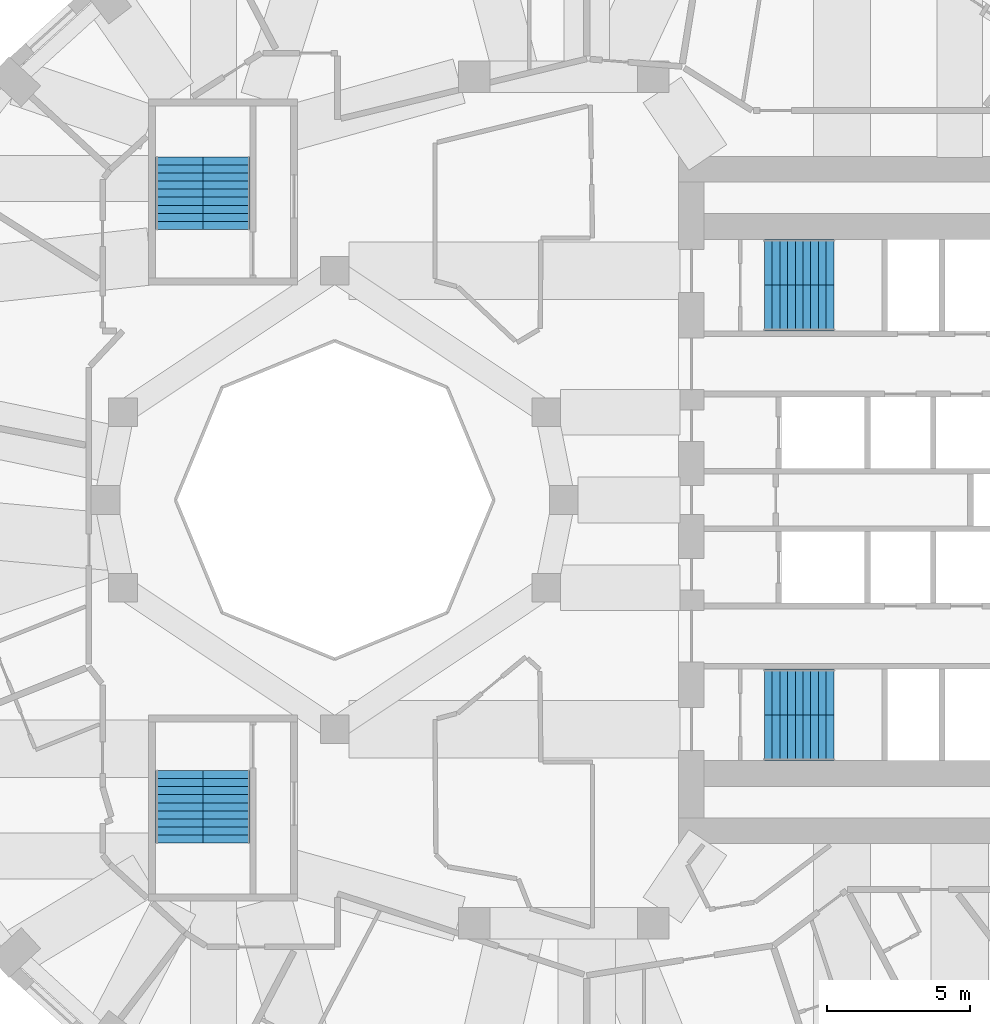
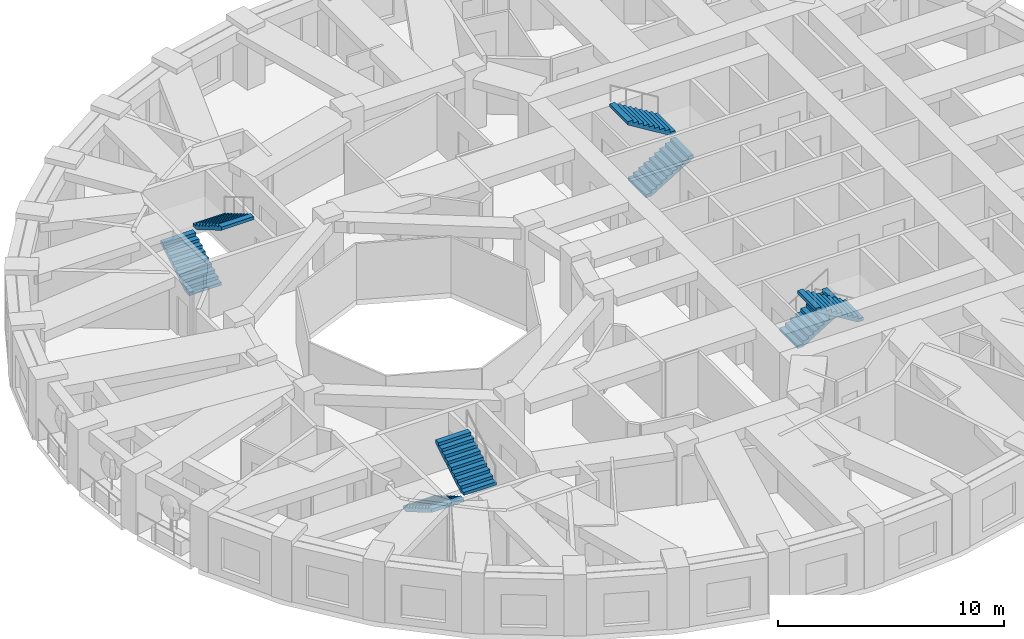
# One storey, part 9 of 12: 8 stair flights, 4 elements without a shape of their own.
"""IFC4 building model written with IfcOpenShell, lengths in metres."""

from ifc_helpers import new_model, si_unit, direction, frame, origin, place, context, subcontext, project, spatial, polyline, outline, extrude, material, type_object, element, aggregate, save


model = new_model("IFC4")

# Units and contexts
model_context = context("Model", 3, precision=1e-05, world=origin(), true_north=direction((0.0, 1.0)))
body_context = subcontext(model_context, "Body", "Model", "MODEL_VIEW")
ifc_project = project(units=[si_unit("LENGTHUNIT", "METRE"), si_unit("AREAUNIT", "SQUARE_METRE"), si_unit("VOLUMEUNIT", "CUBIC_METRE"), si_unit("PLANEANGLEUNIT", "RADIAN"), si_unit("MASSUNIT", "GRAM", prefix="KILO")], contexts=[model_context])

# Site, building, storey
site_placement = place(None, origin())
site = spatial("IfcSite", under=ifc_project, at=site_placement, CompositionType="ELEMENT")
building_placement = place(site_placement, origin())
building = spatial("IfcBuilding", under=site, at=building_placement, Name="Taillehof Tower", CompositionType="ELEMENT")
storey_placement = place(building_placement, frame((0.0, 0.0, 105.39990234375)))
storey = spatial("IfcBuildingStorey", under=building, at=storey_placement, Name="L29", CompositionType="ELEMENT", Elevation=105.39990234375)

# Stair, stair flights
ifc_material_1 = material(Name="Concrete C40/50", Category="concrete")
stair_type = type_object("IfcStairType", Name="Exit stair half-turn", PredefinedType="HALF_TURN_STAIR", material=ifc_material_1)
stair_1_placement = place(storey_placement, origin())
stair_1 = element("IfcStair", 1, at=stair_1_placement, inside=storey, type_object=stair_type, Name="Exit stair S1", PredefinedType="HALF_TURN_STAIR")
ifc_material_2 = material(Name="Concrete C40/50", Category="concrete")
stair_flight_type_1 = type_object("IfcStairFlightType", Name="Stair flight 1600 riser 165.0 going 270", PredefinedType="STRAIGHT", material=ifc_material_2)
stair_flight_1_placement = place(storey_placement, frame((7.0, 6.699951171875, 0.0), z_axis=(0.0, 0.0, 1.0), x_axis=(1.0, 0.0, 0.0)))
stair_flight_1 = element("IfcStairFlight", 2, at=stair_flight_1_placement, type_object=stair_flight_type_1, Name="S1 flight 1", NumberOfRisers=10, NumberOfTreads=9, PredefinedType="STRAIGHT", RiserHeight=0.165, TreadLength=0.27, context=body_context, shape_type="SweptSolid", body=[
    extrude(outline(polyline([(0.0, 0.0), (0.0, 0.00537109375), (0.0, 0.0107421875), (0.0, 0.015869140625), (0.0, 0.021240234375), (0.0, 0.026611328125), (0.0, 0.031982421875), (0.0, 0.037353515625), (0.0, 0.04248046875), (0.0, 0.0478515625), (0.0, 0.05322265625), (0.0, 0.05859375), (0.0, 0.06396484375), (0.0, 0.069091796875), (0.0, 0.074462890625), (0.0, 0.079833984375), (0.0, 0.085205078125), (0.0, 0.090576171875), (0.0, 0.095703125), (0.0, 0.10107421875), (0.0, 0.1064453125), (0.0, 0.11181640625), (0.0, 0.1171875), (0.0, 0.122314453125), (0.0, 0.127685546875), (0.0, 0.133056640625), (0.0, 0.138427734375), (0.0, 0.143798828125), (0.0, 0.14892578125), (0.0, 0.154296875), (0.0, 0.15966796875), (0.0, 0.1650390625), (0.27001953125, 0.1650390625), (0.27001953125, 0.330078125), (0.5400390625, 0.330078125), (0.5400390625, 0.4951171875), (0.81005859375, 0.4951171875), (0.81005859375, 0.659912109375), (1.080078125, 0.659912109375), (1.080078125, 0.824951171875), (1.35009765625, 0.824951171875), (1.35009765625, 0.989990234375), (1.6201171875, 0.989990234375), (1.6201171875, 1.155029296875), (1.889892578125, 1.155029296875), (1.889892578125, 1.320068359375), (2.159912109375, 1.320068359375), (2.159912109375, 1.485107421875), (2.429931640625, 1.485107421875), (2.429931640625, 1.479248046875), (2.429931640625, 1.4736328125), (2.429931640625, 1.468017578125), (2.429931640625, 1.46240234375), (2.429931640625, 1.45654296875), (2.429931640625, 1.450927734375), (2.429931640625, 1.4453125), (2.429931640625, 1.439697265625), (2.429931640625, 1.43408203125), (2.429931640625, 1.42822265625), (2.429931640625, 1.422607421875), (2.429931640625, 1.4169921875), (2.429931640625, 1.411376953125), (2.429931640625, 1.40576171875), (2.429931640625, 1.39990234375), (2.429931640625, 1.394287109375), (2.429931640625, 1.388671875), (2.429931640625, 1.383056640625), (2.429931640625, 1.37744140625), (2.429931640625, 1.37158203125), (2.429931640625, 1.365966796875), (2.429931640625, 1.3603515625), (2.429931640625, 1.354736328125), (2.429931640625, 1.348876953125), (2.429931640625, 1.34326171875), (2.429931640625, 1.337646484375), (2.429931640625, 1.33203125), (2.429931640625, 1.326416015625), (2.429931640625, 1.320556640625), (2.429931640625, 1.31494140625), (2.429931640625, 1.309326171875), (0.287353515625, 0.0), (0.0, 0.0)])), frame((0.0, 0.800048828125, 0.0), z_axis=(0.0, -1.0, 0.0), x_axis=(1.0, 0.0, 0.0)), (0.0, 0.0, 1.0), 1.6),
])
stair_flight_2_placement = place(storey_placement, frame((9.429931640625, 8.300048828125, 1.650146484375), z_axis=(0.0, 0.0, 1.0), x_axis=(-1.0, 0.0, 0.0)))
stair_flight_2 = element("IfcStairFlight", 3, at=stair_flight_2_placement, type_object=stair_flight_type_1, Name="S1 flight 2", NumberOfRisers=10, NumberOfTreads=9, PredefinedType="STRAIGHT", RiserHeight=0.165, TreadLength=0.27, context=body_context, shape_type="SweptSolid", body=[
    extrude(outline(polyline([(0.0, 0.0), (0.0, 0.00537109375), (0.0, 0.0107421875), (0.0, 0.015869140625), (0.0, 0.021240234375), (0.0, 0.026611328125), (0.0, 0.031982421875), (0.0, 0.037353515625), (0.0, 0.04248046875), (0.0, 0.0478515625), (0.0, 0.05322265625), (0.0, 0.05859375), (0.0, 0.06396484375), (0.0, 0.069091796875), (0.0, 0.074462890625), (0.0, 0.079833984375), (0.0, 0.085205078125), (0.0, 0.090576171875), (0.0, 0.095703125), (0.0, 0.10107421875), (0.0, 0.1064453125), (0.0, 0.11181640625), (0.0, 0.1171875), (0.0, 0.122314453125), (0.0, 0.127685546875), (0.0, 0.133056640625), (0.0, 0.138427734375), (0.0, 0.143798828125), (0.0, 0.14892578125), (0.0, 0.154296875), (0.0, 0.15966796875), (0.0, 0.1650390625), (0.27001953125, 0.1650390625), (0.27001953125, 0.330078125), (0.5400390625, 0.330078125), (0.5400390625, 0.4951171875), (0.81005859375, 0.4951171875), (0.81005859375, 0.659912109375), (1.080078125, 0.659912109375), (1.080078125, 0.824951171875), (1.35009765625, 0.824951171875), (1.35009765625, 0.989990234375), (1.6201171875, 0.989990234375), (1.6201171875, 1.155029296875), (1.889892578125, 1.155029296875), (1.889892578125, 1.320068359375), (2.159912109375, 1.320068359375), (2.159912109375, 1.485107421875), (2.429931640625, 1.485107421875), (2.429931640625, 1.479248046875), (2.429931640625, 1.4736328125), (2.429931640625, 1.468017578125), (2.429931640625, 1.46240234375), (2.429931640625, 1.45654296875), (2.429931640625, 1.450927734375), (2.429931640625, 1.4453125), (2.429931640625, 1.439697265625), (2.429931640625, 1.43408203125), (2.429931640625, 1.42822265625), (2.429931640625, 1.422607421875), (2.429931640625, 1.4169921875), (2.429931640625, 1.411376953125), (2.429931640625, 1.40576171875), (2.429931640625, 1.39990234375), (2.429931640625, 1.394287109375), (2.429931640625, 1.388671875), (2.429931640625, 1.383056640625), (2.429931640625, 1.37744140625), (2.429931640625, 1.37158203125), (2.429931640625, 1.365966796875), (2.429931640625, 1.3603515625), (2.429931640625, 1.354736328125), (2.429931640625, 1.348876953125), (2.429931640625, 1.34326171875), (2.429931640625, 1.337646484375), (2.429931640625, 1.33203125), (2.429931640625, 1.326416015625), (2.429931640625, 1.320556640625), (2.429931640625, 1.31494140625), (2.429931640625, 1.309326171875), (0.287353515625, 0.0), (0.0, 0.0)])), frame((0.0, 0.800048828125, 0.0), z_axis=(0.0, -1.0, 0.0), x_axis=(1.0, 0.0, 0.0)), (0.0, 0.0, 1.0), 1.6),
])
aggregate(stair_1, [stair_flight_1, stair_flight_2])

stair_2_placement = place(storey_placement, origin())
stair_2 = element("IfcStair", 4, at=stair_2_placement, inside=storey, type_object=stair_type, Name="Exit stair S2", PredefinedType="HALF_TURN_STAIR")
stair_flight_3_placement = place(storey_placement, frame((7.0, -6.699951171875, 0.0), z_axis=(0.0, 0.0, 1.0), x_axis=(1.0, 0.0, 0.0)))
stair_flight_3 = element("IfcStairFlight", 5, at=stair_flight_3_placement, type_object=stair_flight_type_1, Name="S2 flight 1", NumberOfRisers=10, NumberOfTreads=9, PredefinedType="STRAIGHT", RiserHeight=0.165, TreadLength=0.27, context=body_context, shape_type="SweptSolid", body=[
    extrude(outline(polyline([(0.0, 0.0), (0.0, 0.00537109375), (0.0, 0.0107421875), (0.0, 0.015869140625), (0.0, 0.021240234375), (0.0, 0.026611328125), (0.0, 0.031982421875), (0.0, 0.037353515625), (0.0, 0.04248046875), (0.0, 0.0478515625), (0.0, 0.05322265625), (0.0, 0.05859375), (0.0, 0.06396484375), (0.0, 0.069091796875), (0.0, 0.074462890625), (0.0, 0.079833984375), (0.0, 0.085205078125), (0.0, 0.090576171875), (0.0, 0.095703125), (0.0, 0.10107421875), (0.0, 0.1064453125), (0.0, 0.11181640625), (0.0, 0.1171875), (0.0, 0.122314453125), (0.0, 0.127685546875), (0.0, 0.133056640625), (0.0, 0.138427734375), (0.0, 0.143798828125), (0.0, 0.14892578125), (0.0, 0.154296875), (0.0, 0.15966796875), (0.0, 0.1650390625), (0.27001953125, 0.1650390625), (0.27001953125, 0.330078125), (0.5400390625, 0.330078125), (0.5400390625, 0.4951171875), (0.81005859375, 0.4951171875), (0.81005859375, 0.659912109375), (1.080078125, 0.659912109375), (1.080078125, 0.824951171875), (1.35009765625, 0.824951171875), (1.35009765625, 0.989990234375), (1.6201171875, 0.989990234375), (1.6201171875, 1.155029296875), (1.889892578125, 1.155029296875), (1.889892578125, 1.320068359375), (2.159912109375, 1.320068359375), (2.159912109375, 1.485107421875), (2.429931640625, 1.485107421875), (2.429931640625, 1.479248046875), (2.429931640625, 1.4736328125), (2.429931640625, 1.468017578125), (2.429931640625, 1.46240234375), (2.429931640625, 1.45654296875), (2.429931640625, 1.450927734375), (2.429931640625, 1.4453125), (2.429931640625, 1.439697265625), (2.429931640625, 1.43408203125), (2.429931640625, 1.42822265625), (2.429931640625, 1.422607421875), (2.429931640625, 1.4169921875), (2.429931640625, 1.411376953125), (2.429931640625, 1.40576171875), (2.429931640625, 1.39990234375), (2.429931640625, 1.394287109375), (2.429931640625, 1.388671875), (2.429931640625, 1.383056640625), (2.429931640625, 1.37744140625), (2.429931640625, 1.37158203125), (2.429931640625, 1.365966796875), (2.429931640625, 1.3603515625), (2.429931640625, 1.354736328125), (2.429931640625, 1.348876953125), (2.429931640625, 1.34326171875), (2.429931640625, 1.337646484375), (2.429931640625, 1.33203125), (2.429931640625, 1.326416015625), (2.429931640625, 1.320556640625), (2.429931640625, 1.31494140625), (2.429931640625, 1.309326171875), (0.287353515625, 0.0), (0.0, 0.0)])), frame((0.0, 0.800048828125, 0.0), z_axis=(0.0, -1.0, 0.0), x_axis=(1.0, 0.0, 0.0)), (0.0, 0.0, 1.0), 1.6),
])
stair_flight_4_placement = place(storey_placement, frame((9.429931640625, -8.300048828125, 1.650146484375), z_axis=(0.0, 0.0, 1.0), x_axis=(-1.0, 0.0, 0.0)))
stair_flight_4 = element("IfcStairFlight", 6, at=stair_flight_4_placement, type_object=stair_flight_type_1, Name="S2 flight 2", NumberOfRisers=10, NumberOfTreads=9, PredefinedType="STRAIGHT", RiserHeight=0.165, TreadLength=0.27, context=body_context, shape_type="SweptSolid", body=[
    extrude(outline(polyline([(0.0, 0.0), (0.0, 0.00537109375), (0.0, 0.0107421875), (0.0, 0.015869140625), (0.0, 0.021240234375), (0.0, 0.026611328125), (0.0, 0.031982421875), (0.0, 0.037353515625), (0.0, 0.04248046875), (0.0, 0.0478515625), (0.0, 0.05322265625), (0.0, 0.05859375), (0.0, 0.06396484375), (0.0, 0.069091796875), (0.0, 0.074462890625), (0.0, 0.079833984375), (0.0, 0.085205078125), (0.0, 0.090576171875), (0.0, 0.095703125), (0.0, 0.10107421875), (0.0, 0.1064453125), (0.0, 0.11181640625), (0.0, 0.1171875), (0.0, 0.122314453125), (0.0, 0.127685546875), (0.0, 0.133056640625), (0.0, 0.138427734375), (0.0, 0.143798828125), (0.0, 0.14892578125), (0.0, 0.154296875), (0.0, 0.15966796875), (0.0, 0.1650390625), (0.27001953125, 0.1650390625), (0.27001953125, 0.330078125), (0.5400390625, 0.330078125), (0.5400390625, 0.4951171875), (0.81005859375, 0.4951171875), (0.81005859375, 0.659912109375), (1.080078125, 0.659912109375), (1.080078125, 0.824951171875), (1.35009765625, 0.824951171875), (1.35009765625, 0.989990234375), (1.6201171875, 0.989990234375), (1.6201171875, 1.155029296875), (1.889892578125, 1.155029296875), (1.889892578125, 1.320068359375), (2.159912109375, 1.320068359375), (2.159912109375, 1.485107421875), (2.429931640625, 1.485107421875), (2.429931640625, 1.479248046875), (2.429931640625, 1.4736328125), (2.429931640625, 1.468017578125), (2.429931640625, 1.46240234375), (2.429931640625, 1.45654296875), (2.429931640625, 1.450927734375), (2.429931640625, 1.4453125), (2.429931640625, 1.439697265625), (2.429931640625, 1.43408203125), (2.429931640625, 1.42822265625), (2.429931640625, 1.422607421875), (2.429931640625, 1.4169921875), (2.429931640625, 1.411376953125), (2.429931640625, 1.40576171875), (2.429931640625, 1.39990234375), (2.429931640625, 1.394287109375), (2.429931640625, 1.388671875), (2.429931640625, 1.383056640625), (2.429931640625, 1.37744140625), (2.429931640625, 1.37158203125), (2.429931640625, 1.365966796875), (2.429931640625, 1.3603515625), (2.429931640625, 1.354736328125), (2.429931640625, 1.348876953125), (2.429931640625, 1.34326171875), (2.429931640625, 1.337646484375), (2.429931640625, 1.33203125), (2.429931640625, 1.326416015625), (2.429931640625, 1.320556640625), (2.429931640625, 1.31494140625), (2.429931640625, 1.309326171875), (0.287353515625, 0.0), (0.0, 0.0)])), frame((0.0, 0.800048828125, 0.0), z_axis=(0.0, -1.0, 0.0), x_axis=(1.0, 0.0, 0.0)), (0.0, 0.0, 1.0), 1.6),
])
aggregate(stair_2, [stair_flight_3, stair_flight_4])

stair_3_placement = place(storey_placement, origin())
stair_3 = element("IfcStair", 7, at=stair_3_placement, inside=storey, type_object=stair_type, Name="Exit stair S3", PredefinedType="HALF_TURN_STAIR")
ifc_material_3 = material(Name="Concrete C40/50", Category="concrete")
stair_flight_type_2 = type_object("IfcStairFlightType", Name="Stair flight 1650 riser 165.0 going 280", PredefinedType="STRAIGHT", material=ifc_material_3)
stair_flight_5_placement = place(storey_placement, frame((-13.425048828125, 9.449951171875, 0.0), z_axis=(0.0, 0.0, 1.0), x_axis=(0.0, 1.0, 0.0)))
stair_flight_5 = element("IfcStairFlight", 8, at=stair_flight_5_placement, type_object=stair_flight_type_2, Name="S3 flight 1", NumberOfRisers=10, NumberOfTreads=9, PredefinedType="STRAIGHT", RiserHeight=0.165, TreadLength=0.28, context=body_context, shape_type="SweptSolid", body=[
    extrude(outline(polyline([(0.0, 0.0), (0.0, 0.00537109375), (0.0, 0.0107421875), (0.0, 0.015869140625), (0.0, 0.021240234375), (0.0, 0.026611328125), (0.0, 0.031982421875), (0.0, 0.037353515625), (0.0, 0.04248046875), (0.0, 0.0478515625), (0.0, 0.05322265625), (0.0, 0.05859375), (0.0, 0.06396484375), (0.0, 0.069091796875), (0.0, 0.074462890625), (0.0, 0.079833984375), (0.0, 0.085205078125), (0.0, 0.090576171875), (0.0, 0.095703125), (0.0, 0.10107421875), (0.0, 0.1064453125), (0.0, 0.11181640625), (0.0, 0.1171875), (0.0, 0.122314453125), (0.0, 0.127685546875), (0.0, 0.133056640625), (0.0, 0.138427734375), (0.0, 0.143798828125), (0.0, 0.14892578125), (0.0, 0.154296875), (0.0, 0.15966796875), (0.0, 0.1650390625), (0.280029296875, 0.1650390625), (0.280029296875, 0.330078125), (0.56005859375, 0.330078125), (0.56005859375, 0.4951171875), (0.840087890625, 0.4951171875), (0.840087890625, 0.659912109375), (1.1201171875, 0.659912109375), (1.1201171875, 0.824951171875), (1.39990234375, 0.824951171875), (1.39990234375, 0.989990234375), (1.679931640625, 0.989990234375), (1.679931640625, 1.155029296875), (1.9599609375, 1.155029296875), (1.9599609375, 1.320068359375), (2.239990234375, 1.320068359375), (2.239990234375, 1.485107421875), (2.52001953125, 1.485107421875), (2.52001953125, 1.4794921875), (2.52001953125, 1.473876953125), (2.52001953125, 1.46826171875), (2.52001953125, 1.462646484375), (2.52001953125, 1.45703125), (2.52001953125, 1.451416015625), (2.52001953125, 1.44580078125), (2.52001953125, 1.440185546875), (2.52001953125, 1.4345703125), (2.52001953125, 1.428955078125), (2.52001953125, 1.42333984375), (2.52001953125, 1.417724609375), (2.52001953125, 1.412109375), (2.52001953125, 1.406494140625), (2.52001953125, 1.40087890625), (2.52001953125, 1.395263671875), (2.52001953125, 1.3896484375), (2.52001953125, 1.384033203125), (2.52001953125, 1.37841796875), (2.52001953125, 1.372802734375), (2.52001953125, 1.3671875), (2.52001953125, 1.361572265625), (2.52001953125, 1.35595703125), (2.52001953125, 1.350341796875), (2.52001953125, 1.3447265625), (2.52001953125, 1.339111328125), (2.52001953125, 1.33349609375), (2.52001953125, 1.327880859375), (2.52001953125, 1.322265625), (2.52001953125, 1.316650390625), (2.52001953125, 1.31103515625), (0.295166015625, 0.0), (0.0, 0.0)])), frame((0.0, 0.824951171875, 0.0), z_axis=(0.0, -1.0, 0.0), x_axis=(1.0, 0.0, 0.0)), (0.0, 0.0, 1.0), 1.65),
])
stair_flight_6_placement = place(storey_placement, frame((-11.77490234375, 11.969970703125, 1.650146484375), z_axis=(0.0, 0.0, 1.0), x_axis=(0.0, -1.0, 0.0)))
stair_flight_6 = element("IfcStairFlight", 9, at=stair_flight_6_placement, type_object=stair_flight_type_2, Name="S3 flight 2", NumberOfRisers=10, NumberOfTreads=9, PredefinedType="STRAIGHT", RiserHeight=0.165, TreadLength=0.28, context=body_context, shape_type="SweptSolid", body=[
    extrude(outline(polyline([(0.0, 0.0), (0.0, 0.00537109375), (0.0, 0.0107421875), (0.0, 0.015869140625), (0.0, 0.021240234375), (0.0, 0.026611328125), (0.0, 0.031982421875), (0.0, 0.037353515625), (0.0, 0.04248046875), (0.0, 0.0478515625), (0.0, 0.05322265625), (0.0, 0.05859375), (0.0, 0.06396484375), (0.0, 0.069091796875), (0.0, 0.074462890625), (0.0, 0.079833984375), (0.0, 0.085205078125), (0.0, 0.090576171875), (0.0, 0.095703125), (0.0, 0.10107421875), (0.0, 0.1064453125), (0.0, 0.11181640625), (0.0, 0.1171875), (0.0, 0.122314453125), (0.0, 0.127685546875), (0.0, 0.133056640625), (0.0, 0.138427734375), (0.0, 0.143798828125), (0.0, 0.14892578125), (0.0, 0.154296875), (0.0, 0.15966796875), (0.0, 0.1650390625), (0.280029296875, 0.1650390625), (0.280029296875, 0.330078125), (0.56005859375, 0.330078125), (0.56005859375, 0.4951171875), (0.840087890625, 0.4951171875), (0.840087890625, 0.659912109375), (1.1201171875, 0.659912109375), (1.1201171875, 0.824951171875), (1.39990234375, 0.824951171875), (1.39990234375, 0.989990234375), (1.679931640625, 0.989990234375), (1.679931640625, 1.155029296875), (1.9599609375, 1.155029296875), (1.9599609375, 1.320068359375), (2.239990234375, 1.320068359375), (2.239990234375, 1.485107421875), (2.52001953125, 1.485107421875), (2.52001953125, 1.4794921875), (2.52001953125, 1.473876953125), (2.52001953125, 1.46826171875), (2.52001953125, 1.462646484375), (2.52001953125, 1.45703125), (2.52001953125, 1.451416015625), (2.52001953125, 1.44580078125), (2.52001953125, 1.440185546875), (2.52001953125, 1.4345703125), (2.52001953125, 1.428955078125), (2.52001953125, 1.42333984375), (2.52001953125, 1.417724609375), (2.52001953125, 1.412109375), (2.52001953125, 1.406494140625), (2.52001953125, 1.40087890625), (2.52001953125, 1.395263671875), (2.52001953125, 1.3896484375), (2.52001953125, 1.384033203125), (2.52001953125, 1.37841796875), (2.52001953125, 1.372802734375), (2.52001953125, 1.3671875), (2.52001953125, 1.361572265625), (2.52001953125, 1.35595703125), (2.52001953125, 1.350341796875), (2.52001953125, 1.3447265625), (2.52001953125, 1.339111328125), (2.52001953125, 1.33349609375), (2.52001953125, 1.327880859375), (2.52001953125, 1.322265625), (2.52001953125, 1.316650390625), (2.52001953125, 1.31103515625), (0.295166015625, 0.0), (0.0, 0.0)])), frame((0.0, 0.824951171875, 0.0), z_axis=(0.0, -1.0, 0.0), x_axis=(1.0, 0.0, 0.0)), (0.0, 0.0, 1.0), 1.65),
])
aggregate(stair_3, [stair_flight_5, stair_flight_6])

stair_4_placement = place(storey_placement, origin())
stair_4 = element("IfcStair", 10, at=stair_4_placement, inside=storey, type_object=stair_type, Name="Exit stair S4", PredefinedType="HALF_TURN_STAIR")
stair_flight_7_placement = place(storey_placement, frame((-13.425048828125, -9.449951171875, 0.0), z_axis=(0.0, 0.0, 1.0), x_axis=(0.0, -1.0, 0.0)))
stair_flight_7 = element("IfcStairFlight", 11, at=stair_flight_7_placement, type_object=stair_flight_type_2, Name="S4 flight 1", NumberOfRisers=10, NumberOfTreads=9, PredefinedType="STRAIGHT", RiserHeight=0.165, TreadLength=0.28, context=body_context, shape_type="SweptSolid", body=[
    extrude(outline(polyline([(0.0, 0.0), (0.0, 0.00537109375), (0.0, 0.0107421875), (0.0, 0.015869140625), (0.0, 0.021240234375), (0.0, 0.026611328125), (0.0, 0.031982421875), (0.0, 0.037353515625), (0.0, 0.04248046875), (0.0, 0.0478515625), (0.0, 0.05322265625), (0.0, 0.05859375), (0.0, 0.06396484375), (0.0, 0.069091796875), (0.0, 0.074462890625), (0.0, 0.079833984375), (0.0, 0.085205078125), (0.0, 0.090576171875), (0.0, 0.095703125), (0.0, 0.10107421875), (0.0, 0.1064453125), (0.0, 0.11181640625), (0.0, 0.1171875), (0.0, 0.122314453125), (0.0, 0.127685546875), (0.0, 0.133056640625), (0.0, 0.138427734375), (0.0, 0.143798828125), (0.0, 0.14892578125), (0.0, 0.154296875), (0.0, 0.15966796875), (0.0, 0.1650390625), (0.280029296875, 0.1650390625), (0.280029296875, 0.330078125), (0.56005859375, 0.330078125), (0.56005859375, 0.4951171875), (0.840087890625, 0.4951171875), (0.840087890625, 0.659912109375), (1.1201171875, 0.659912109375), (1.1201171875, 0.824951171875), (1.39990234375, 0.824951171875), (1.39990234375, 0.989990234375), (1.679931640625, 0.989990234375), (1.679931640625, 1.155029296875), (1.9599609375, 1.155029296875), (1.9599609375, 1.320068359375), (2.239990234375, 1.320068359375), (2.239990234375, 1.485107421875), (2.52001953125, 1.485107421875), (2.52001953125, 1.4794921875), (2.52001953125, 1.473876953125), (2.52001953125, 1.46826171875), (2.52001953125, 1.462646484375), (2.52001953125, 1.45703125), (2.52001953125, 1.451416015625), (2.52001953125, 1.44580078125), (2.52001953125, 1.440185546875), (2.52001953125, 1.4345703125), (2.52001953125, 1.428955078125), (2.52001953125, 1.42333984375), (2.52001953125, 1.417724609375), (2.52001953125, 1.412109375), (2.52001953125, 1.406494140625), (2.52001953125, 1.40087890625), (2.52001953125, 1.395263671875), (2.52001953125, 1.3896484375), (2.52001953125, 1.384033203125), (2.52001953125, 1.37841796875), (2.52001953125, 1.372802734375), (2.52001953125, 1.3671875), (2.52001953125, 1.361572265625), (2.52001953125, 1.35595703125), (2.52001953125, 1.350341796875), (2.52001953125, 1.3447265625), (2.52001953125, 1.339111328125), (2.52001953125, 1.33349609375), (2.52001953125, 1.327880859375), (2.52001953125, 1.322265625), (2.52001953125, 1.316650390625), (2.52001953125, 1.31103515625), (0.295166015625, 0.0), (0.0, 0.0)])), frame((0.0, 0.824951171875, 0.0), z_axis=(0.0, -1.0, 0.0), x_axis=(1.0, 0.0, 0.0)), (0.0, 0.0, 1.0), 1.65),
])
stair_flight_8_placement = place(storey_placement, frame((-11.77490234375, -11.969970703125, 1.650146484375), z_axis=(0.0, 0.0, 1.0), x_axis=(0.0, 1.0, 0.0)))
stair_flight_8 = element("IfcStairFlight", 12, at=stair_flight_8_placement, type_object=stair_flight_type_2, Name="S4 flight 2", NumberOfRisers=10, NumberOfTreads=9, PredefinedType="STRAIGHT", RiserHeight=0.165, TreadLength=0.28, context=body_context, shape_type="SweptSolid", body=[
    extrude(outline(polyline([(0.0, 0.0), (0.0, 0.00537109375), (0.0, 0.0107421875), (0.0, 0.015869140625), (0.0, 0.021240234375), (0.0, 0.026611328125), (0.0, 0.031982421875), (0.0, 0.037353515625), (0.0, 0.04248046875), (0.0, 0.0478515625), (0.0, 0.05322265625), (0.0, 0.05859375), (0.0, 0.06396484375), (0.0, 0.069091796875), (0.0, 0.074462890625), (0.0, 0.079833984375), (0.0, 0.085205078125), (0.0, 0.090576171875), (0.0, 0.095703125), (0.0, 0.10107421875), (0.0, 0.1064453125), (0.0, 0.11181640625), (0.0, 0.1171875), (0.0, 0.122314453125), (0.0, 0.127685546875), (0.0, 0.133056640625), (0.0, 0.138427734375), (0.0, 0.143798828125), (0.0, 0.14892578125), (0.0, 0.154296875), (0.0, 0.15966796875), (0.0, 0.1650390625), (0.280029296875, 0.1650390625), (0.280029296875, 0.330078125), (0.56005859375, 0.330078125), (0.56005859375, 0.4951171875), (0.840087890625, 0.4951171875), (0.840087890625, 0.659912109375), (1.1201171875, 0.659912109375), (1.1201171875, 0.824951171875), (1.39990234375, 0.824951171875), (1.39990234375, 0.989990234375), (1.679931640625, 0.989990234375), (1.679931640625, 1.155029296875), (1.9599609375, 1.155029296875), (1.9599609375, 1.320068359375), (2.239990234375, 1.320068359375), (2.239990234375, 1.485107421875), (2.52001953125, 1.485107421875), (2.52001953125, 1.4794921875), (2.52001953125, 1.473876953125), (2.52001953125, 1.46826171875), (2.52001953125, 1.462646484375), (2.52001953125, 1.45703125), (2.52001953125, 1.451416015625), (2.52001953125, 1.44580078125), (2.52001953125, 1.440185546875), (2.52001953125, 1.4345703125), (2.52001953125, 1.428955078125), (2.52001953125, 1.42333984375), (2.52001953125, 1.417724609375), (2.52001953125, 1.412109375), (2.52001953125, 1.406494140625), (2.52001953125, 1.40087890625), (2.52001953125, 1.395263671875), (2.52001953125, 1.3896484375), (2.52001953125, 1.384033203125), (2.52001953125, 1.37841796875), (2.52001953125, 1.372802734375), (2.52001953125, 1.3671875), (2.52001953125, 1.361572265625), (2.52001953125, 1.35595703125), (2.52001953125, 1.350341796875), (2.52001953125, 1.3447265625), (2.52001953125, 1.339111328125), (2.52001953125, 1.33349609375), (2.52001953125, 1.327880859375), (2.52001953125, 1.322265625), (2.52001953125, 1.316650390625), (2.52001953125, 1.31103515625), (0.295166015625, 0.0), (0.0, 0.0)])), frame((0.0, 0.824951171875, 0.0), z_axis=(0.0, -1.0, 0.0), x_axis=(1.0, 0.0, 0.0)), (0.0, 0.0, 1.0), 1.65),
])
aggregate(stair_4, [stair_flight_7, stair_flight_8])

save(model, "model.ifc")
